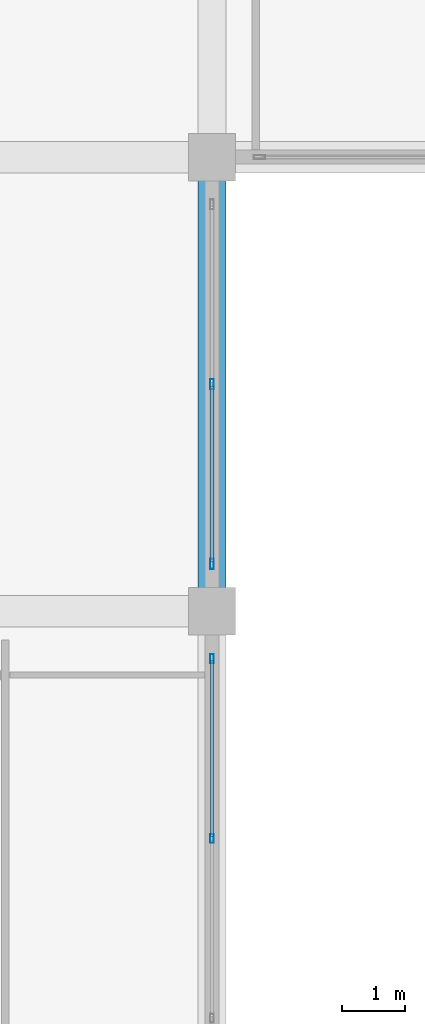
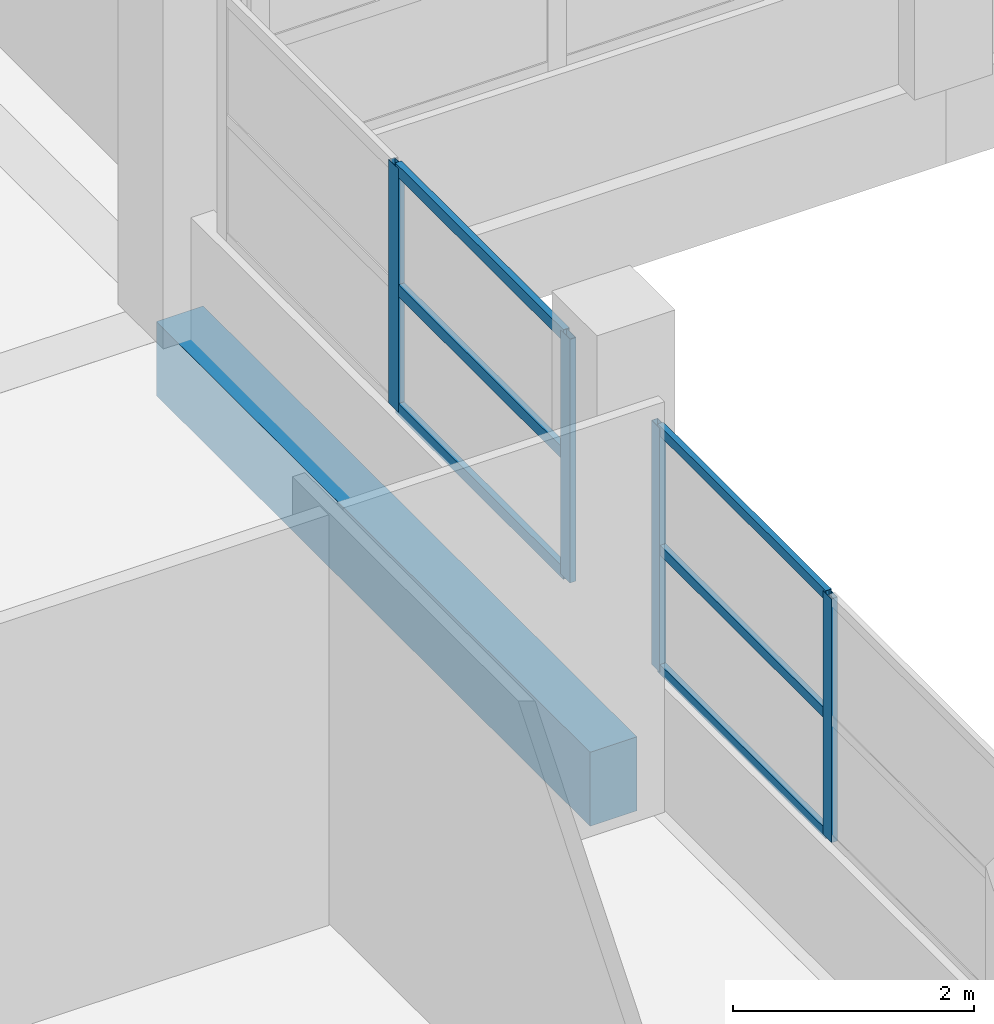
# One storey, part 24 of 141: 10 members, 1 beam, 2 elements without a shape of their own.
"""IFC4 building model written with IfcOpenShell, lengths in metres."""

from ifc_helpers import new_model, si_unit, direction, frame, origin, origin_2d, place, context, subcontext, project, spatial, rectangle, hollow_rectangle, extrude, material, layer, layer_set, material_profile, profile_set, type_object, element, aggregate, save


model = new_model("IFC4")

# Units and contexts
model_context = context("Model", 3, precision=1e-05, world=origin(), true_north=direction((0.0, 1.0)))
body_context = subcontext(model_context, "Body", "Model", "MODEL_VIEW")
ifc_project = project(units=[si_unit("LENGTHUNIT", "METRE"), si_unit("AREAUNIT", "SQUARE_METRE"), si_unit("VOLUMEUNIT", "CUBIC_METRE"), si_unit("PLANEANGLEUNIT", "RADIAN"), si_unit("MASSUNIT", "GRAM", prefix="KILO")], contexts=[model_context])

# Site, building, storey
site_placement = place(None, origin())
site = spatial("IfcSite", under=ifc_project, at=site_placement, CompositionType="ELEMENT")
building_placement = place(site_placement, origin())
building = spatial("IfcBuilding", under=site, at=building_placement, Name="Seraya Terrace Polytechnic", CompositionType="ELEMENT")
storey_placement = place(building_placement, frame((0.0, 0.0, 14.39990234375)))
storey = spatial("IfcBuildingStorey", under=building, at=storey_placement, Name="L03", CompositionType="ELEMENT", Elevation=14.39990234375)

# Beam
ifc_material_1 = material(Name="Concrete C40/50", Category="concrete")
ifc_material_profile_1 = material_profile(ifc_material_1, rectangle(XDim=0.449951171875, YDim=0.75, at=origin_2d()), Name="RC 450x750")
ifc_profile_set_1 = profile_set([ifc_material_profile_1], Name="Concrete C40/50")
beam_type = type_object("IfcBeamType", Name="BM-08", PredefinedType="BEAM", material=ifc_profile_set_1)
beam_placement = place(storey_placement, frame((43.199951171875, 57.60009765625, -0.375), z_axis=(0.0, 1.0, 0.0), x_axis=(-1.0, 0.0, 0.0)))
element("IfcBeam", 1, at=beam_placement, inside=storey, type_object=beam_type, Name="Beam BM-08 L03 Y (43.2, 57.6..64.8)", PredefinedType="BEAM", context=body_context, shape_type="SweptSolid", body=[
    extrude(rectangle(XDim=0.449951171875, YDim=0.75, at=origin_2d()), origin(), (0.0, 0.0, 1.0), 7.199951171875),
])

# Curtain wall, members
ifc_material_2 = material(Name="Anodised aluminium EN AW-6063 T6", Category="aluminium")
ifc_layer_1 = layer(ifc_material_2, 0.179931640625, Name="CW-02")
ifc_layer_set_1 = layer_set([ifc_layer_1], Name="Anodised aluminium EN AW-6063 T6")
curtain_wall_type_1 = type_object("IfcCurtainWallType", Name="CW-02", PredefinedType="NOTDEFINED", material=ifc_layer_set_1)
curtain_wall_1_placement = place(storey_placement, origin())
curtain_wall_1 = element("IfcCurtainWall", 2, at=curtain_wall_1_placement, inside=storey, type_object=curtain_wall_type_1, Name="Unitised curtain wall CW-02 (CW-L03-146)", PredefinedType="NOTDEFINED")
ifc_material_profile_2 = material_profile(ifc_material_2, hollow_rectangle(XDim=0.06005859375, YDim=0.159912109375, WallThickness=0.00341796875, at=origin_2d()), Name="RHS 160x60x3.5")
ifc_profile_set_2 = profile_set([ifc_material_profile_2], Name="Anodised aluminium EN AW-6063 T6")
member_type_1 = type_object("IfcMemberType", Name="CWM-02", PredefinedType="MULLION", material=ifc_profile_set_2)
member_1_placement = place(storey_placement, frame((43.199951171875, 61.199951171875, 1.239990234375), z_axis=(0.0, 0.0, 1.0), x_axis=(1.0, 0.0, 0.0)))
member_1 = element("IfcMember", 3, at=member_1_placement, type_object=member_type_1, Name="CW-02 mullion 2", PredefinedType="MULLION", context=body_context, shape_type="SweptSolid", body=[
    extrude(hollow_rectangle(XDim=0.06005859375, YDim=0.159912109375, WallThickness=0.00341796875, at=origin_2d()), origin(), (0.0, 0.0, 1.0), 2.47021484375),
])
member_2_placement = place(storey_placement, frame((43.199951171875, 58.35009765625, 1.239990234375), z_axis=(0.0, 0.0, 1.0), x_axis=(1.0, 0.0, 0.0)))
member_2 = element("IfcMember", 4, at=member_2_placement, type_object=member_type_1, Name="CW-02 mullion 3", PredefinedType="MULLION", context=body_context, shape_type="SweptSolid", body=[
    extrude(hollow_rectangle(XDim=0.06005859375, YDim=0.159912109375, WallThickness=0.00341796875, at=origin_2d()), origin(), (0.0, 0.0, 1.0), 2.47021484375),
])

ifc_layer_2 = layer(ifc_material_2, 0.179931640625, Name="CW-03")
ifc_layer_set_2 = layer_set([ifc_layer_2], Name="Anodised aluminium EN AW-6063 T6")
curtain_wall_type_2 = type_object("IfcCurtainWallType", Name="CW-03", PredefinedType="NOTDEFINED", material=ifc_layer_set_2)
curtain_wall_2_placement = place(storey_placement, origin())
curtain_wall_2 = element("IfcCurtainWall", 5, at=curtain_wall_2_placement, inside=storey, type_object=curtain_wall_type_2, Name="Unitised curtain wall CW-03 (CW-L03-147)", PredefinedType="NOTDEFINED")
ifc_material_profile_3 = material_profile(ifc_material_2, hollow_rectangle(XDim=0.06005859375, YDim=0.139892578125, WallThickness=0.00341796875, at=origin_2d()), Name="RHS 140x60x3.5")
ifc_profile_set_3 = profile_set([ifc_material_profile_3], Name="Anodised aluminium EN AW-6063 T6")
member_type_2 = type_object("IfcMemberType", Name="CWM-03", PredefinedType="MULLION", material=ifc_profile_set_3)
member_3_placement = place(storey_placement, frame((43.199951171875, 56.85009765625, 1.239990234375), z_axis=(0.0, 0.0, 1.0), x_axis=(1.0, 0.0, 0.0)))
member_3 = element("IfcMember", 6, at=member_3_placement, type_object=member_type_2, Name="CW-03 mullion 1", PredefinedType="MULLION", context=body_context, shape_type="SweptSolid", body=[
    extrude(hollow_rectangle(XDim=0.06005859375, YDim=0.139892578125, WallThickness=0.00341796875, at=origin_2d()), origin(), (0.0, 0.0, 1.0), 2.47021484375),
])
member_4_placement = place(storey_placement, frame((43.199951171875, 54.0, 1.239990234375), z_axis=(0.0, 0.0, 1.0), x_axis=(1.0, 0.0, 0.0)))
member_4 = element("IfcMember", 7, at=member_4_placement, type_object=member_type_2, Name="CW-03 mullion 2", PredefinedType="MULLION", context=body_context, shape_type="SweptSolid", body=[
    extrude(hollow_rectangle(XDim=0.06005859375, YDim=0.139892578125, WallThickness=0.00341796875, at=origin_2d()), origin(), (0.0, 0.0, 1.0), 2.47021484375),
])

# Member
ifc_material_profile_4 = material_profile(ifc_material_2, hollow_rectangle(XDim=0.06005859375, YDim=0.1201171875, WallThickness=0.003173828125, at=origin_2d()), Name="RHS 120x60x3.2")
ifc_profile_set_4 = profile_set([ifc_material_profile_4], Name="Anodised aluminium EN AW-6063 T6")
member_type_3 = type_object("IfcMemberType", Name="CWT-02", PredefinedType="USERDEFINED", material=ifc_profile_set_4)
member_5_placement = place(storey_placement, frame((43.199951171875, 61.169921875, 1.27001953125), z_axis=(0.0, -1.0, 0.0), x_axis=(1.0, 0.0, 0.0)))
member_5 = element("IfcMember", 8, at=member_5_placement, type_object=member_type_3, Name="CW-02 transom 2.1", ObjectType="TRANSOM", PredefinedType="USERDEFINED", context=body_context, shape_type="SweptSolid", body=[
    extrude(hollow_rectangle(XDim=0.06005859375, YDim=0.1201171875, WallThickness=0.003173828125, at=origin_2d()), origin(), (0.0, 0.0, 1.0), 2.7900390625),
])

member_6_placement = place(storey_placement, frame((43.199951171875, 61.169921875, 2.47509765625), z_axis=(0.0, -1.0, 0.0), x_axis=(1.0, 0.0, 0.0)))
member_6 = element("IfcMember", 9, at=member_6_placement, type_object=member_type_3, Name="CW-02 transom 2.2", ObjectType="TRANSOM", PredefinedType="USERDEFINED", context=body_context, shape_type="SweptSolid", body=[
    extrude(hollow_rectangle(XDim=0.06005859375, YDim=0.1201171875, WallThickness=0.003173828125, at=origin_2d()), origin(), (0.0, 0.0, 1.0), 2.7900390625),
])

member_7_placement = place(storey_placement, frame((43.199951171875, 61.169921875, 3.68017578125), z_axis=(0.0, -1.0, 0.0), x_axis=(1.0, 0.0, 0.0)))
member_7 = element("IfcMember", 10, at=member_7_placement, type_object=member_type_3, Name="CW-02 transom 2.3", ObjectType="TRANSOM", PredefinedType="USERDEFINED", context=body_context, shape_type="SweptSolid", body=[
    extrude(hollow_rectangle(XDim=0.06005859375, YDim=0.1201171875, WallThickness=0.003173828125, at=origin_2d()), origin(), (0.0, 0.0, 1.0), 2.7900390625),
])

aggregate(curtain_wall_1, [member_1, member_2, member_5, member_6, member_7])

ifc_material_profile_5 = material_profile(ifc_material_2, hollow_rectangle(XDim=0.054931640625, YDim=0.10009765625, WallThickness=0.0029296875, at=origin_2d()), Name="RHS 100x55x3.0")
ifc_profile_set_5 = profile_set([ifc_material_profile_5], Name="Anodised aluminium EN AW-6063 T6")
member_type_4 = type_object("IfcMemberType", Name="CWT-03", PredefinedType="USERDEFINED", material=ifc_profile_set_5)
member_8_placement = place(storey_placement, frame((43.199951171875, 56.820068359375, 1.267578125), z_axis=(0.0, -1.0, 0.0), x_axis=(1.0, 0.0, 0.0)))
member_8 = element("IfcMember", 11, at=member_8_placement, type_object=member_type_4, Name="CW-03 transom 1.1", ObjectType="TRANSOM", PredefinedType="USERDEFINED", context=body_context, shape_type="SweptSolid", body=[
    extrude(hollow_rectangle(XDim=0.054931640625, YDim=0.10009765625, WallThickness=0.0029296875, at=origin_2d()), origin(), (0.0, 0.0, 1.0), 2.7900390625),
])

member_9_placement = place(storey_placement, frame((43.199951171875, 56.820068359375, 2.47509765625), z_axis=(0.0, -1.0, 0.0), x_axis=(1.0, 0.0, 0.0)))
member_9 = element("IfcMember", 12, at=member_9_placement, type_object=member_type_4, Name="CW-03 transom 1.2", ObjectType="TRANSOM", PredefinedType="USERDEFINED", context=body_context, shape_type="SweptSolid", body=[
    extrude(hollow_rectangle(XDim=0.054931640625, YDim=0.10009765625, WallThickness=0.0029296875, at=origin_2d()), origin(), (0.0, 0.0, 1.0), 2.7900390625),
])

member_10_placement = place(storey_placement, frame((43.199951171875, 56.820068359375, 3.6826171875), z_axis=(0.0, -1.0, 0.0), x_axis=(1.0, 0.0, 0.0)))
member_10 = element("IfcMember", 13, at=member_10_placement, type_object=member_type_4, Name="CW-03 transom 1.3", ObjectType="TRANSOM", PredefinedType="USERDEFINED", context=body_context, shape_type="SweptSolid", body=[
    extrude(hollow_rectangle(XDim=0.054931640625, YDim=0.10009765625, WallThickness=0.0029296875, at=origin_2d()), origin(), (0.0, 0.0, 1.0), 2.7900390625),
])

aggregate(curtain_wall_2, [member_3, member_4, member_8, member_9, member_10])

save(model, "model.ifc")
